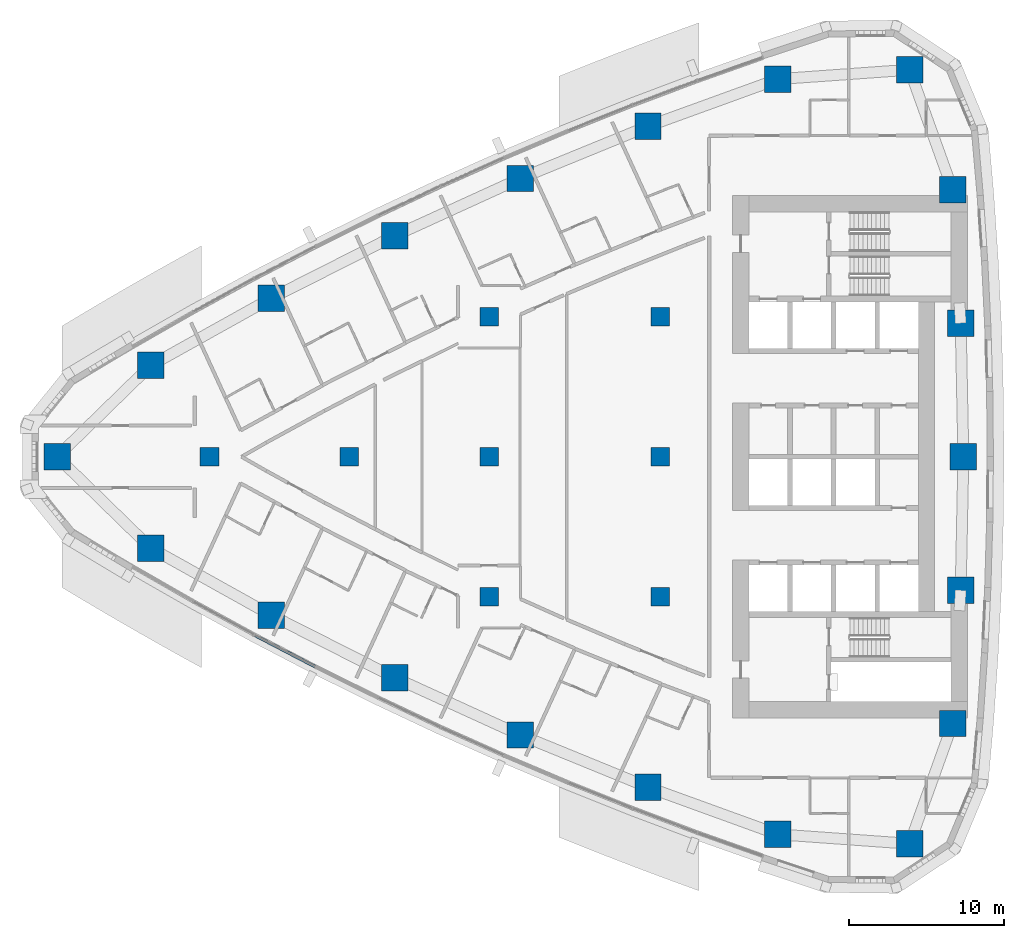
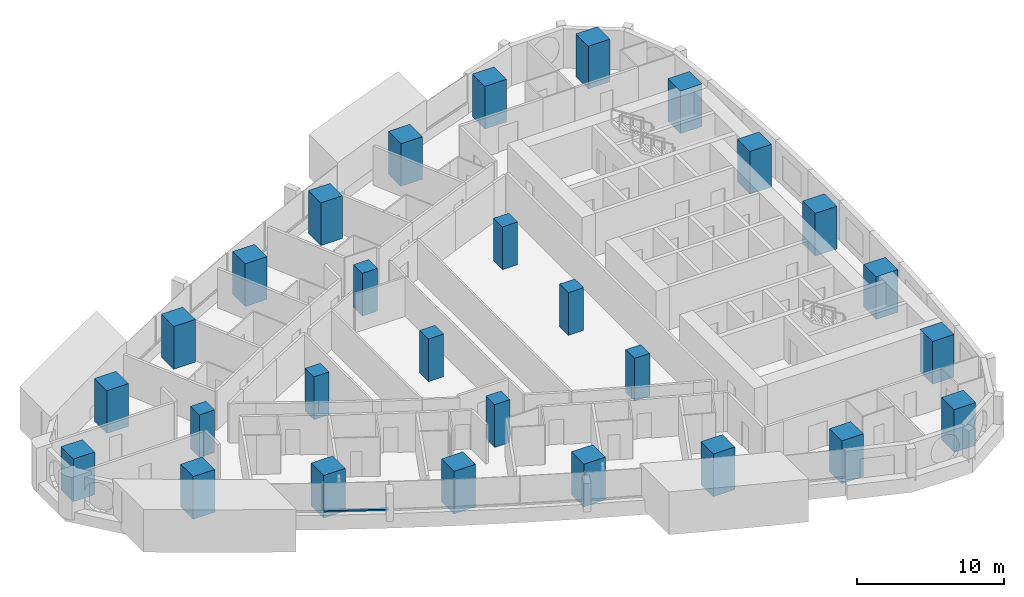
# One storey, part 1 of 17: 28 columns, 1 member, 1 element without a shape of its own.
"""IFC4 building model written with IfcOpenShell, lengths in metres."""

from ifc_helpers import new_model, si_unit, direction, frame, origin, origin_2d, place, context, subcontext, project, spatial, rectangle, extrude, material, layer, layer_set, material_profile, profile_set, type_object, element, aggregate, save


model = new_model("IFC4")

# Units and contexts
model_context = context("Model", 3, precision=1e-05, world=origin(), true_north=direction((0.0, 1.0)))
body_context = subcontext(model_context, "Body", "Model", "MODEL_VIEW")
ifc_project = project(units=[si_unit("LENGTHUNIT", "METRE"), si_unit("AREAUNIT", "SQUARE_METRE"), si_unit("VOLUMEUNIT", "CUBIC_METRE"), si_unit("PLANEANGLEUNIT", "RADIAN"), si_unit("MASSUNIT", "GRAM", prefix="KILO")], contexts=[model_context])

# Site, building, storey
site_placement = place(None, origin())
site = spatial("IfcSite", under=ifc_project, at=site_placement, CompositionType="ELEMENT")
building_placement = place(site_placement, origin())
building = spatial("IfcBuilding", under=site, at=building_placement, Name="Ostrand Prow Hotel Tower", CompositionType="ELEMENT")
storey_placement = place(building_placement, frame((0.0, 0.0, 106.199951171875)))
storey = spatial("IfcBuildingStorey", under=building, at=storey_placement, Name="L25", CompositionType="ELEMENT", Elevation=106.199951171875)

# Columns
ifc_material_1 = material(Name="Concrete C80/95", Category="concrete")
ifc_material_profile_1 = material_profile(ifc_material_1, rectangle(XDim=1.199951171875, YDim=1.199951171875, at=origin_2d()), Name="RC 1200x1200")
ifc_profile_set_1 = profile_set([ifc_material_profile_1], Name="Concrete C80/95")
column_type_1 = type_object("IfcColumnType", Name="Interior column 1200x1200 C80/95", PredefinedType="COLUMN", material=ifc_profile_set_1)
for number, where, z_axis, x_axis, name in (
    (1, (16.0, 0.0, 0.0), (0.0, 0.0, 1.0), (1.0, 0.0, 0.0), "Interior column 16C0"),
    (2, (25.0, 0.0, 0.0), (0.0, 0.0, 1.0), (1.0, 0.0, 0.0), "Interior column 25C0"),
    (3, (34.0, -9.0, 0.0), (0.0, 0.0, 1.0), (1.0, 0.0, 0.0), "Interior column 34S9"),
    (4, (34.0, 0.0, 0.0), (0.0, 0.0, 1.0), (1.0, 0.0, 0.0), "Interior column 34C0"),
    (5, (34.0, 9.0, 0.0), (0.0, 0.0, 1.0), (1.0, 0.0, 0.0), "Interior column 34N9"),
    (6, (45.0, -9.0, 0.0), (0.0, 0.0, 1.0), (1.0, 0.0, 0.0), "Interior column 45S9"),
    (7, (45.0, 0.0, 0.0), (0.0, 0.0, 1.0), (1.0, 0.0, 0.0), "Interior column 45C0"),
    (8, (45.0, 9.0, 0.0), (0.0, 0.0, 1.0), (1.0, 0.0, 0.0), "Interior column 45N9"),
):
    element("IfcColumn", number, at=place(storey_placement, frame(where, z_axis=z_axis, x_axis=x_axis)), inside=storey, type_object=column_type_1, Name=name, PredefinedType="COLUMN", context=body_context, shape_type="SweptSolid", body=[
        extrude(rectangle(XDim=1.199951171875, YDim=1.199951171875, at=origin_2d()), origin(), (0.0, 0.0, 1.0), 3.550048828125),
    ])
ifc_material_2 = material(Name="Concrete C80/95", Category="concrete")
ifc_material_profile_2 = material_profile(ifc_material_2, rectangle(XDim=1.699951171875, YDim=1.699951171875, at=origin_2d()), Name="RC 1700x1700")
ifc_profile_set_2 = profile_set([ifc_material_profile_2], Name="Concrete C80/95")
column_type_2 = type_object("IfcColumnType", Name="Stone-faced mega column 1700x1700 C80/95", PredefinedType="COLUMN", material=ifc_profile_set_2)
for number, where, z_axis, x_axis, name in (
    (9, (6.193115234375, 0.0, 0.0), (0.0, 0.0, 1.0), (1.0, 0.0, 0.0), "Mega column P"),
    (10, (12.221435546875, -5.876220703125, 0.0), (0.0, 0.0, 1.0), (1.0, 0.0, 0.0), "Mega column S1"),
    (11, (19.980712890625, -10.20166015625, 0.0), (0.0, 0.0, 1.0), (1.0, 0.0, 0.0), "Mega column S2"),
    (12, (27.906982421875, -14.212158203125, 0.0), (0.0, 0.0, 1.0), (1.0, 0.0, 0.0), "Mega column S3"),
    (13, (35.98828125, -17.901611328125, 0.0), (0.0, 0.0, 1.0), (1.0, 0.0, 0.0), "Mega column S4"),
    (14, (44.210693359375, -21.263671875, 0.0), (0.0, 0.0, 1.0), (1.0, 0.0, 0.0), "Mega column S5"),
    (15, (52.561767578125, -24.29296875, 0.0), (0.0, 0.0, 1.0), (1.0, 0.0, 0.0), "Mega column S6"),
    (16, (61.0400390625, -24.89697265625, 0.0), (0.0, 0.0, 1.0), (1.0, 0.0, 0.0), "Mega column SE"),
    (17, (63.815673828125, -17.16357421875, 0.0), (0.0, 0.0, 1.0), (1.0, 0.0, 0.0), "Mega column B1"),
    (18, (64.328857421875, -8.588623046875, 0.0), (0.0, 0.0, 1.0), (1.0, 0.0, 0.0), "Mega column B2"),
    (19, (64.5, 0.0, 0.0), (0.0, 0.0, 1.0), (1.0, 0.0, 0.0), "Mega column B3"),
    (20, (64.328857421875, 8.588623046875, 0.0), (0.0, 0.0, 1.0), (1.0, 0.0, 0.0), "Mega column B4"),
    (21, (63.815673828125, 17.16357421875, 0.0), (0.0, 0.0, 1.0), (1.0, 0.0, 0.0), "Mega column B5"),
    (22, (61.0400390625, 24.89697265625, 0.0), (0.0, 0.0, 1.0), (1.0, 0.0, 0.0), "Mega column NE"),
    (23, (52.561767578125, 24.29296875, 0.0), (0.0, 0.0, 1.0), (1.0, 0.0, 0.0), "Mega column N1"),
    (24, (44.210693359375, 21.263671875, 0.0), (0.0, 0.0, 1.0), (1.0, 0.0, 0.0), "Mega column N2"),
    (25, (35.98828125, 17.901611328125, 0.0), (0.0, 0.0, 1.0), (1.0, 0.0, 0.0), "Mega column N3"),
    (26, (27.906982421875, 14.212158203125, 0.0), (0.0, 0.0, 1.0), (1.0, 0.0, 0.0), "Mega column N4"),
    (27, (19.980712890625, 10.20166015625, 0.0), (0.0, 0.0, 1.0), (1.0, 0.0, 0.0), "Mega column N5"),
    (28, (12.221435546875, 5.876220703125, 0.0), (0.0, 0.0, 1.0), (1.0, 0.0, 0.0), "Mega column N6"),
):
    element("IfcColumn", number, at=place(storey_placement, frame(where, z_axis=z_axis, x_axis=x_axis)), inside=storey, type_object=column_type_2, Name=name, PredefinedType="COLUMN", context=body_context, shape_type="SweptSolid", body=[
        extrude(rectangle(XDim=1.699951171875, YDim=1.699951171875, at=origin_2d()), origin(), (0.0, 0.0, 1.0), 3.550048828125),
    ])

# Curtain wall, member
ifc_material_3 = material(Name="Insulated glass in bronze anodised frame", Category="glass")
ifc_layer = layer(ifc_material_3, 0.199951171875)
ifc_layer_set = layer_set([ifc_layer], Name="Insulated glass in bronze anodised frame")
curtain_wall_type = type_object("IfcCurtainWallType", Name="Strip curtain wall, fritted glass over bronze spandrel", PredefinedType="NOTDEFINED", material=ifc_layer_set)
curtain_wall_placement = place(storey_placement, origin())
curtain_wall = element("IfcCurtainWall", 29, at=curtain_wall_placement, inside=storey, type_object=curtain_wall_type, Name="CW1 run CWS2", PredefinedType="NOTDEFINED")
ifc_material_4 = material(Name="Bronze anodised aluminium", Category="aluminium")
ifc_material_profile_3 = material_profile(ifc_material_4, rectangle(XDim=0.199951171875, YDim=0.1201171875, at=origin_2d()), Name="Transom 120x200 bronze anodised aluminium")
ifc_profile_set_3 = profile_set([ifc_material_profile_3], Name="Bronze anodised aluminium")
member_type = type_object("IfcMemberType", Name="Transom 120x200 bronze anodised aluminium", PredefinedType="USERDEFINED", material=ifc_profile_set_3)
member_placement = place(storey_placement, frame((18.89697265625, -11.475830078125, 0.9599609375), z_axis=(0.886901787206, -0.461958028235, 0.0), x_axis=(0.461958028235, 0.886901787206, 0.0)))
member = element("IfcMember", 30, at=member_placement, type_object=member_type, Name="CW1 transom 1.1", ObjectType="TRANSOM", PredefinedType="USERDEFINED", context=body_context, shape_type="SweptSolid", body=[
    extrude(rectangle(XDim=0.199951171875, YDim=0.1201171875, at=origin_2d()), origin(), (0.0, 0.0, 1.0), 4.406005859375),
])
aggregate(curtain_wall, [member])

save(model, "model.ifc")
